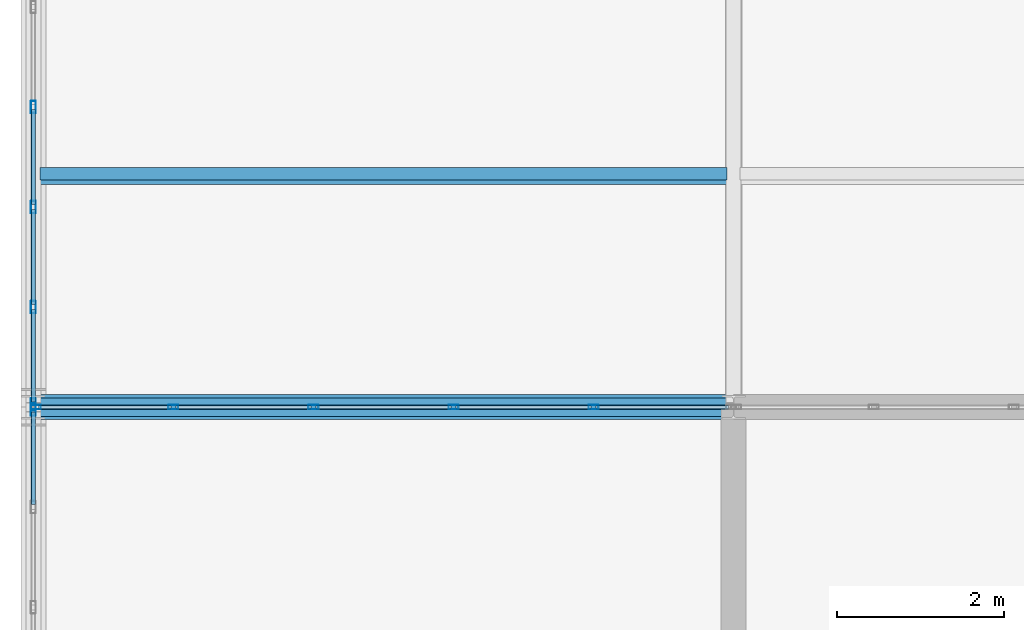
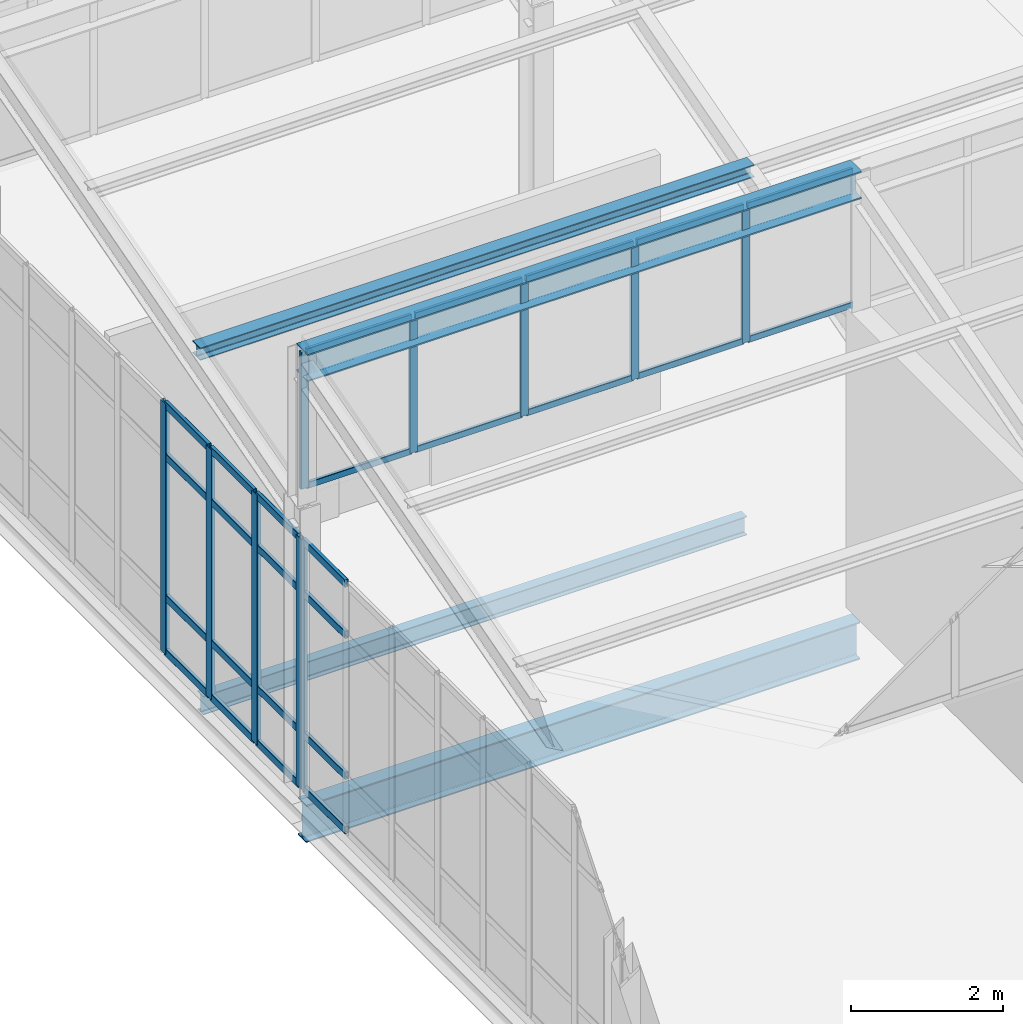
# One storey, part 14 of 53: 37 members, 3 beams, 3 elements without a shape of their own.
"""IFC4 building model written with IfcOpenShell, lengths in metres."""

from ifc_helpers import new_model, si_unit, direction, frame, origin, origin_2d, place, context, subcontext, project, spatial, hollow_rectangle, i_section, extrude, material, layer, layer_set, material_profile, profile_set, type_object, element, aggregate, save


model = new_model("IFC4")

# Units and contexts
model_context = context("Model", 3, precision=1e-05, world=origin(), true_north=direction((0.0, 1.0)))
body_context = subcontext(model_context, "Body", "Model", "MODEL_VIEW")
ifc_project = project(units=[si_unit("LENGTHUNIT", "METRE"), si_unit("AREAUNIT", "SQUARE_METRE"), si_unit("VOLUMEUNIT", "CUBIC_METRE"), si_unit("PLANEANGLEUNIT", "RADIAN"), si_unit("MASSUNIT", "GRAM", prefix="KILO")], contexts=[model_context])

# Site, building, storey
site_placement = place(None, origin())
site = spatial("IfcSite", under=ifc_project, at=site_placement, CompositionType="ELEMENT")
building_placement = place(site_placement, origin())
building = spatial("IfcBuilding", under=site, at=building_placement, Name="Qalvenar Corner Mobility Hub", CompositionType="ELEMENT")
storey_placement = place(building_placement, frame((0.0, 0.0, 26.39990234375)))
storey = spatial("IfcBuildingStorey", under=building, at=storey_placement, Name="L06", CompositionType="ELEMENT", Elevation=26.39990234375)

# Beams
ifc_material_1 = material(Name="Steel S355", Category="steel")
ifc_material_profile_1 = material_profile(ifc_material_1, i_section(OverallWidth=0.300048828125, OverallDepth=0.43994140625, WebThickness=0.011474609375, FlangeThickness=0.02099609375, FilletRadius=0.027099609375, at=origin_2d()), Name="HEA450")
ifc_profile_set_1 = profile_set([ifc_material_profile_1], Name="Steel S355")
beam_type_1 = type_object("IfcBeamType", Name="BM-HEA450", PredefinedType="BEAM", material=ifc_profile_set_1)
beam_1_placement = place(storey_placement, frame((0.0, 16.800048828125, 6.81005859375), z_axis=(1.0, 0.0, 0.0), x_axis=(0.0, 1.0, 0.0)))
element("IfcBeam", 1, at=beam_1_placement, inside=storey, type_object=beam_type_1, Name="Sawtooth Ridge Girder V3RDG-2-1", PredefinedType="BEAM", context=body_context, shape_type="SweptSolid", body=[
    extrude(i_section(OverallWidth=0.300048828125, OverallDepth=0.43994140625, WebThickness=0.011474609375, FlangeThickness=0.02099609375, FilletRadius=0.027099609375, at=origin_2d()), origin(), (0.0, 0.0, 1.0), 8.39990234375),
])
ifc_material_profile_2 = material_profile(ifc_material_1, i_section(OverallWidth=0.219970703125, OverallDepth=0.60009765625, WebThickness=0.011962890625, FlangeThickness=0.01904296875, FilletRadius=0.02392578125, at=origin_2d()), Name="IPE600")
ifc_profile_set_2 = profile_set([ifc_material_profile_2], Name="Steel S355")
beam_type_2 = type_object("IfcBeamType", Name="BM-IPE600", PredefinedType="BEAM", material=ifc_profile_set_2)
beam_2_placement = place(storey_placement, frame((0.0, 16.800048828125, -0.52001953125), z_axis=(1.0, 0.0, 0.0), x_axis=(0.0, 1.0, 0.0)))
element("IfcBeam", 2, at=beam_2_placement, inside=storey, type_object=beam_type_2, Name="Primary Steel Girder GX-3062", PredefinedType="BEAM", context=body_context, shape_type="SweptSolid", body=[
    extrude(i_section(OverallWidth=0.219970703125, OverallDepth=0.60009765625, WebThickness=0.011962890625, FlangeThickness=0.01904296875, FilletRadius=0.02392578125, at=origin_2d()), origin(), (0.0, 0.0, 1.0), 8.39990234375),
])
ifc_material_profile_3 = material_profile(ifc_material_1, i_section(OverallWidth=0.14990234375, OverallDepth=0.300048828125, WebThickness=0.007080078125, FlangeThickness=0.0107421875, FilletRadius=0.014892578125, at=origin_2d()), Name="IPE300")
ifc_profile_set_3 = profile_set([ifc_material_profile_3], Name="Steel S355")
beam_type_3 = type_object("IfcBeamType", Name="BM-JST300", PredefinedType="JOIST", material=ifc_profile_set_3)
beam_3_placement = place(storey_placement, frame((0.077880859375, 19.60009765625, -0.369873046875), z_axis=(1.0, 0.0, 0.0), x_axis=(0.0, 1.0, 0.0)))
element("IfcBeam", 3, at=beam_3_placement, inside=storey, type_object=beam_type_3, Name="Composite Floor Joist J-3106", PredefinedType="JOIST", context=body_context, shape_type="SweptSolid", body=[
    extrude(i_section(OverallWidth=0.14990234375, OverallDepth=0.300048828125, WebThickness=0.007080078125, FlangeThickness=0.0107421875, FilletRadius=0.014892578125, at=origin_2d()), origin(), (0.0, 0.0, 1.0), 8.244140625),
])

# Curtain wall, members
ifc_material_2 = material(Name="Anodised Aluminium and Low-E Glazing", Category="aluminium")
ifc_layer_1 = layer(ifc_material_2, 0.1201171875)
ifc_layer_set_1 = layer_set([ifc_layer_1], Name="Anodised Aluminium and Low-E Glazing")
curtain_wall_type_1 = type_object("IfcCurtainWallType", Name="CW-CLR-84X24", PredefinedType="NOTDEFINED", material=ifc_layer_set_1)
curtain_wall_1_placement = place(storey_placement, origin())
curtain_wall_1 = element("IfcCurtainWall", 4, at=curtain_wall_1_placement, inside=storey, type_object=curtain_wall_type_1, Name="Glazed Curtain Wall CW-V3-SAW-2-0", PredefinedType="NOTDEFINED")
ifc_material_3 = material(Name="Anodised Aluminium 6063-T6", Category="aluminium")
ifc_material_profile_4 = material_profile(ifc_material_3, hollow_rectangle(XDim=0.054931640625, YDim=0.1201171875, WallThickness=0.00341796875, InnerFilletRadius=0.00341796875, OuterFilletRadius=0.007080078125, at=origin_2d()), Name="RHS120x55x3.5")
ifc_profile_set_4 = profile_set([ifc_material_profile_4], Name="Anodised Aluminium 6063-T6")
member_type_1 = type_object("IfcMemberType", Name="CW-MUL120", PredefinedType="MULLION", material=ifc_profile_set_4)
member_1_placement = place(storey_placement, frame((6.719970703125, 16.800048828125, 4.800048828125), z_axis=(0.0, 0.0, 1.0), x_axis=(0.0, -1.0, 0.0)))
member_1 = element("IfcMember", 5, at=member_1_placement, type_object=member_type_1, Name="CW-12 mullion 2", PredefinedType="MULLION", context=body_context, shape_type="SweptSolid", body=[
    extrude(hollow_rectangle(XDim=0.054931640625, YDim=0.1201171875, WallThickness=0.00341796875, InnerFilletRadius=0.00341796875, OuterFilletRadius=0.007080078125, at=origin_2d()), origin(), (0.0, 0.0, 1.0), 2.199951171875),
])
member_2_placement = place(storey_placement, frame((5.0400390625, 16.800048828125, 4.800048828125), z_axis=(0.0, 0.0, 1.0), x_axis=(0.0, -1.0, 0.0)))
member_2 = element("IfcMember", 6, at=member_2_placement, type_object=member_type_1, Name="CW-12 mullion 3", PredefinedType="MULLION", context=body_context, shape_type="SweptSolid", body=[
    extrude(hollow_rectangle(XDim=0.054931640625, YDim=0.1201171875, WallThickness=0.00341796875, InnerFilletRadius=0.00341796875, OuterFilletRadius=0.007080078125, at=origin_2d()), origin(), (0.0, 0.0, 1.0), 2.199951171875),
])
member_3_placement = place(storey_placement, frame((3.360107421875, 16.800048828125, 4.800048828125), z_axis=(0.0, 0.0, 1.0), x_axis=(0.0, -1.0, 0.0)))
member_3 = element("IfcMember", 7, at=member_3_placement, type_object=member_type_1, Name="CW-12 mullion 4", PredefinedType="MULLION", context=body_context, shape_type="SweptSolid", body=[
    extrude(hollow_rectangle(XDim=0.054931640625, YDim=0.1201171875, WallThickness=0.00341796875, InnerFilletRadius=0.00341796875, OuterFilletRadius=0.007080078125, at=origin_2d()), origin(), (0.0, 0.0, 1.0), 2.199951171875),
])
member_4_placement = place(storey_placement, frame((1.679931640625, 16.800048828125, 4.800048828125), z_axis=(0.0, 0.0, 1.0), x_axis=(0.0, -1.0, 0.0)))
member_4 = element("IfcMember", 8, at=member_4_placement, type_object=member_type_1, Name="CW-12 mullion 5", PredefinedType="MULLION", context=body_context, shape_type="SweptSolid", body=[
    extrude(hollow_rectangle(XDim=0.054931640625, YDim=0.1201171875, WallThickness=0.00341796875, InnerFilletRadius=0.00341796875, OuterFilletRadius=0.007080078125, at=origin_2d()), origin(), (0.0, 0.0, 1.0), 2.199951171875),
])
member_5_placement = place(storey_placement, frame((0.030029296875, 16.800048828125, 4.800048828125), z_axis=(0.0, 0.0, 1.0), x_axis=(0.0, -1.0, 0.0)))
member_5 = element("IfcMember", 9, at=member_5_placement, type_object=member_type_1, Name="CW-12 mullion 6", PredefinedType="MULLION", context=body_context, shape_type="SweptSolid", body=[
    extrude(hollow_rectangle(XDim=0.054931640625, YDim=0.1201171875, WallThickness=0.00341796875, InnerFilletRadius=0.00341796875, OuterFilletRadius=0.007080078125, at=origin_2d()), origin(), (0.0, 0.0, 1.0), 2.199951171875),
])

# Curtain wall, member
ifc_layer_2 = layer(ifc_material_2, 0.14990234375)
ifc_layer_set_2 = layer_set([ifc_layer_2], Name="Anodised Aluminium and Low-E Glazing")
curtain_wall_type_2 = type_object("IfcCurtainWallType", Name="CW-CIV-84X40", PredefinedType="NOTDEFINED", material=ifc_layer_set_2)
curtain_wall_2_placement = place(storey_placement, origin())
curtain_wall_2 = element("IfcCurtainWall", 10, at=curtain_wall_2_placement, inside=storey, type_object=curtain_wall_type_2, Name="Glazed Curtain Wall CW-V3-L06-W1", PredefinedType="NOTDEFINED")
ifc_material_profile_5 = material_profile(ifc_material_3, hollow_rectangle(XDim=0.06005859375, YDim=0.14990234375, WallThickness=0.00390625, InnerFilletRadius=0.00390625, OuterFilletRadius=0.008056640625, at=origin_2d()), Name="RHS150x60x4")
ifc_profile_set_5 = profile_set([ifc_material_profile_5], Name="Anodised Aluminium 6063-T6")
member_type_2 = type_object("IfcMemberType", Name="CW-MUL150", PredefinedType="MULLION", material=ifc_profile_set_5)
member_6_placement = place(storey_placement, frame((0.0, 16.77001953125, 0.0), z_axis=(0.0, 0.0, 1.0), x_axis=(1.0, 0.0, 0.0)))
member_6 = element("IfcMember", 11, at=member_6_placement, type_object=member_type_2, Name="CW-05 mullion 1", PredefinedType="MULLION", context=body_context, shape_type="SweptSolid", body=[
    extrude(hollow_rectangle(XDim=0.06005859375, YDim=0.14990234375, WallThickness=0.00390625, InnerFilletRadius=0.00390625, OuterFilletRadius=0.008056640625, at=origin_2d()), origin(), (0.0, 0.0, 1.0), 4.010009765625),
])

# Curtain wall, members
curtain_wall_3_placement = place(storey_placement, origin())
curtain_wall_3 = element("IfcCurtainWall", 12, at=curtain_wall_3_placement, inside=storey, type_object=curtain_wall_type_2, Name="Glazed Curtain Wall CW-V3-L06-W2", PredefinedType="NOTDEFINED")
member_7_placement = place(storey_placement, frame((0.0, 20.39990234375, 0.0), z_axis=(0.0, 0.0, 1.0), x_axis=(1.0, 0.0, 0.0)))
member_7 = element("IfcMember", 13, at=member_7_placement, type_object=member_type_2, Name="CW-05 mullion 5", PredefinedType="MULLION", context=body_context, shape_type="SweptSolid", body=[
    extrude(hollow_rectangle(XDim=0.06005859375, YDim=0.14990234375, WallThickness=0.00390625, InnerFilletRadius=0.00390625, OuterFilletRadius=0.008056640625, at=origin_2d()), origin(), (0.0, 0.0, 1.0), 4.010009765625),
])
member_8_placement = place(storey_placement, frame((0.0, 19.199951171875, 0.0), z_axis=(0.0, 0.0, 1.0), x_axis=(1.0, 0.0, 0.0)))
member_8 = element("IfcMember", 14, at=member_8_placement, type_object=member_type_2, Name="CW-05 mullion 6", PredefinedType="MULLION", context=body_context, shape_type="SweptSolid", body=[
    extrude(hollow_rectangle(XDim=0.06005859375, YDim=0.14990234375, WallThickness=0.00390625, InnerFilletRadius=0.00390625, OuterFilletRadius=0.008056640625, at=origin_2d()), origin(), (0.0, 0.0, 1.0), 4.010009765625),
])
member_9_placement = place(storey_placement, frame((0.0, 18.0, 0.0), z_axis=(0.0, 0.0, 1.0), x_axis=(1.0, 0.0, 0.0)))
member_9 = element("IfcMember", 15, at=member_9_placement, type_object=member_type_2, Name="CW-05 mullion 7", PredefinedType="MULLION", context=body_context, shape_type="SweptSolid", body=[
    extrude(hollow_rectangle(XDim=0.06005859375, YDim=0.14990234375, WallThickness=0.00390625, InnerFilletRadius=0.00390625, OuterFilletRadius=0.008056640625, at=origin_2d()), origin(), (0.0, 0.0, 1.0), 4.010009765625),
])
member_10_placement = place(storey_placement, frame((0.0, 16.830078125, 0.0), z_axis=(0.0, 0.0, 1.0), x_axis=(1.0, 0.0, 0.0)))
member_10 = element("IfcMember", 16, at=member_10_placement, type_object=member_type_2, Name="CW-05 mullion 8", PredefinedType="MULLION", context=body_context, shape_type="SweptSolid", body=[
    extrude(hollow_rectangle(XDim=0.06005859375, YDim=0.14990234375, WallThickness=0.00390625, InnerFilletRadius=0.00390625, OuterFilletRadius=0.008056640625, at=origin_2d()), origin(), (0.0, 0.0, 1.0), 4.010009765625),
])

# Member
ifc_material_profile_6 = material_profile(ifc_material_3, hollow_rectangle(XDim=0.050048828125, YDim=0.10009765625, WallThickness=0.0029296875, InnerFilletRadius=0.0029296875, OuterFilletRadius=0.006103515625, at=origin_2d()), Name="RHS100x50x3")
ifc_profile_set_6 = profile_set([ifc_material_profile_6], Name="Anodised Aluminium 6063-T6")
member_type_3 = type_object("IfcMemberType", Name="CW-TRN100", PredefinedType="USERDEFINED", material=ifc_profile_set_6)
member_11_placement = place(storey_placement, frame((8.340087890625, 16.800048828125, 4.82763671875), z_axis=(-1.0, 0.0, 0.0), x_axis=(0.0, -1.0, 0.0)))
member_11 = element("IfcMember", 17, at=member_11_placement, type_object=member_type_3, Name="CW-12 transom 1.1", ObjectType="TRANSOM", PredefinedType="USERDEFINED", context=body_context, shape_type="SweptSolid", body=[
    extrude(hollow_rectangle(XDim=0.050048828125, YDim=0.10009765625, WallThickness=0.0029296875, InnerFilletRadius=0.0029296875, OuterFilletRadius=0.006103515625, at=origin_2d()), origin(), (0.0, 0.0, 1.0), 1.590087890625),
])

member_12_placement = place(storey_placement, frame((8.340087890625, 16.800048828125, 6.97265625), z_axis=(-1.0, 0.0, 0.0), x_axis=(0.0, -1.0, 0.0)))
member_12 = element("IfcMember", 18, at=member_12_placement, type_object=member_type_3, Name="CW-12 transom 1.2", ObjectType="TRANSOM", PredefinedType="USERDEFINED", context=body_context, shape_type="SweptSolid", body=[
    extrude(hollow_rectangle(XDim=0.050048828125, YDim=0.10009765625, WallThickness=0.0029296875, InnerFilletRadius=0.0029296875, OuterFilletRadius=0.006103515625, at=origin_2d()), origin(), (0.0, 0.0, 1.0), 1.590087890625),
])

member_13_placement = place(storey_placement, frame((6.68994140625, 16.800048828125, 4.82763671875), z_axis=(-1.0, 0.0, 0.0), x_axis=(0.0, -1.0, 0.0)))
member_13 = element("IfcMember", 19, at=member_13_placement, type_object=member_type_3, Name="CW-12 transom 2.1", ObjectType="TRANSOM", PredefinedType="USERDEFINED", context=body_context, shape_type="SweptSolid", body=[
    extrude(hollow_rectangle(XDim=0.050048828125, YDim=0.10009765625, WallThickness=0.0029296875, InnerFilletRadius=0.0029296875, OuterFilletRadius=0.006103515625, at=origin_2d()), origin(), (0.0, 0.0, 1.0), 1.619873046875),
])

member_14_placement = place(storey_placement, frame((6.68994140625, 16.800048828125, 6.97265625), z_axis=(-1.0, 0.0, 0.0), x_axis=(0.0, -1.0, 0.0)))
member_14 = element("IfcMember", 20, at=member_14_placement, type_object=member_type_3, Name="CW-12 transom 2.2", ObjectType="TRANSOM", PredefinedType="USERDEFINED", context=body_context, shape_type="SweptSolid", body=[
    extrude(hollow_rectangle(XDim=0.050048828125, YDim=0.10009765625, WallThickness=0.0029296875, InnerFilletRadius=0.0029296875, OuterFilletRadius=0.006103515625, at=origin_2d()), origin(), (0.0, 0.0, 1.0), 1.619873046875),
])

member_15_placement = place(storey_placement, frame((5.010009765625, 16.800048828125, 4.82763671875), z_axis=(-1.0, 0.0, 0.0), x_axis=(0.0, -1.0, 0.0)))
member_15 = element("IfcMember", 21, at=member_15_placement, type_object=member_type_3, Name="CW-12 transom 3.1", ObjectType="TRANSOM", PredefinedType="USERDEFINED", context=body_context, shape_type="SweptSolid", body=[
    extrude(hollow_rectangle(XDim=0.050048828125, YDim=0.10009765625, WallThickness=0.0029296875, InnerFilletRadius=0.0029296875, OuterFilletRadius=0.006103515625, at=origin_2d()), origin(), (0.0, 0.0, 1.0), 1.6201171875),
])

member_16_placement = place(storey_placement, frame((5.010009765625, 16.800048828125, 6.97265625), z_axis=(-1.0, 0.0, 0.0), x_axis=(0.0, -1.0, 0.0)))
member_16 = element("IfcMember", 22, at=member_16_placement, type_object=member_type_3, Name="CW-12 transom 3.2", ObjectType="TRANSOM", PredefinedType="USERDEFINED", context=body_context, shape_type="SweptSolid", body=[
    extrude(hollow_rectangle(XDim=0.050048828125, YDim=0.10009765625, WallThickness=0.0029296875, InnerFilletRadius=0.0029296875, OuterFilletRadius=0.006103515625, at=origin_2d()), origin(), (0.0, 0.0, 1.0), 1.6201171875),
])

member_17_placement = place(storey_placement, frame((3.330078125, 16.800048828125, 4.82763671875), z_axis=(-1.0, 0.0, 0.0), x_axis=(0.0, -1.0, 0.0)))
member_17 = element("IfcMember", 23, at=member_17_placement, type_object=member_type_3, Name="CW-12 transom 4.1", ObjectType="TRANSOM", PredefinedType="USERDEFINED", context=body_context, shape_type="SweptSolid", body=[
    extrude(hollow_rectangle(XDim=0.050048828125, YDim=0.10009765625, WallThickness=0.0029296875, InnerFilletRadius=0.0029296875, OuterFilletRadius=0.006103515625, at=origin_2d()), origin(), (0.0, 0.0, 1.0), 1.6201171875),
])

member_18_placement = place(storey_placement, frame((3.330078125, 16.800048828125, 6.97265625), z_axis=(-1.0, 0.0, 0.0), x_axis=(0.0, -1.0, 0.0)))
member_18 = element("IfcMember", 24, at=member_18_placement, type_object=member_type_3, Name="CW-12 transom 4.2", ObjectType="TRANSOM", PredefinedType="USERDEFINED", context=body_context, shape_type="SweptSolid", body=[
    extrude(hollow_rectangle(XDim=0.050048828125, YDim=0.10009765625, WallThickness=0.0029296875, InnerFilletRadius=0.0029296875, OuterFilletRadius=0.006103515625, at=origin_2d()), origin(), (0.0, 0.0, 1.0), 1.6201171875),
])

member_19_placement = place(storey_placement, frame((1.64990234375, 16.800048828125, 4.82763671875), z_axis=(-1.0, 0.0, 0.0), x_axis=(0.0, -1.0, 0.0)))
member_19 = element("IfcMember", 25, at=member_19_placement, type_object=member_type_3, Name="CW-12 transom 5.1", ObjectType="TRANSOM", PredefinedType="USERDEFINED", context=body_context, shape_type="SweptSolid", body=[
    extrude(hollow_rectangle(XDim=0.050048828125, YDim=0.10009765625, WallThickness=0.0029296875, InnerFilletRadius=0.0029296875, OuterFilletRadius=0.006103515625, at=origin_2d()), origin(), (0.0, 0.0, 1.0), 1.58984375),
])

member_20_placement = place(storey_placement, frame((1.64990234375, 16.800048828125, 6.97265625), z_axis=(-1.0, 0.0, 0.0), x_axis=(0.0, -1.0, 0.0)))
member_20 = element("IfcMember", 26, at=member_20_placement, type_object=member_type_3, Name="CW-12 transom 5.2", ObjectType="TRANSOM", PredefinedType="USERDEFINED", context=body_context, shape_type="SweptSolid", body=[
    extrude(hollow_rectangle(XDim=0.050048828125, YDim=0.10009765625, WallThickness=0.0029296875, InnerFilletRadius=0.0029296875, OuterFilletRadius=0.006103515625, at=origin_2d()), origin(), (0.0, 0.0, 1.0), 1.58984375),
])

aggregate(curtain_wall_1, [member_1, member_2, member_3, member_4, member_5, member_11, member_12, member_13, member_14, member_15, member_16, member_17, member_18, member_19, member_20])

ifc_material_profile_7 = material_profile(ifc_material_3, hollow_rectangle(XDim=0.054931640625, YDim=0.1201171875, WallThickness=0.00341796875, InnerFilletRadius=0.00341796875, OuterFilletRadius=0.007080078125, at=origin_2d()), Name="RHS120x55x3.5")
ifc_profile_set_7 = profile_set([ifc_material_profile_7], Name="Anodised Aluminium 6063-T6")
member_type_4 = type_object("IfcMemberType", Name="CW-TRN120", PredefinedType="USERDEFINED", material=ifc_profile_set_7)
member_21_placement = place(storey_placement, frame((0.0, 16.739990234375, 0.027587890625), z_axis=(0.0, -1.0, 0.0), x_axis=(1.0, 0.0, 0.0)))
member_21 = element("IfcMember", 27, at=member_21_placement, type_object=member_type_4, Name="CW-05 transom 1.1", ObjectType="TRANSOM", PredefinedType="USERDEFINED", context=body_context, shape_type="SweptSolid", body=[
    extrude(hollow_rectangle(XDim=0.054931640625, YDim=0.1201171875, WallThickness=0.00341796875, InnerFilletRadius=0.00341796875, OuterFilletRadius=0.007080078125, at=origin_2d()), origin(), (0.0, 0.0, 1.0), 1.110107421875),
])

member_22_placement = place(storey_placement, frame((0.0, 16.739990234375, 0.900146484375), z_axis=(0.0, -1.0, 0.0), x_axis=(1.0, 0.0, 0.0)))
member_22 = element("IfcMember", 28, at=member_22_placement, type_object=member_type_4, Name="CW-05 transom 1.2", ObjectType="TRANSOM", PredefinedType="USERDEFINED", context=body_context, shape_type="SweptSolid", body=[
    extrude(hollow_rectangle(XDim=0.054931640625, YDim=0.1201171875, WallThickness=0.00341796875, InnerFilletRadius=0.00341796875, OuterFilletRadius=0.007080078125, at=origin_2d()), origin(), (0.0, 0.0, 1.0), 1.110107421875),
])

member_23_placement = place(storey_placement, frame((0.0, 16.739990234375, 3.16015625), z_axis=(0.0, -1.0, 0.0), x_axis=(1.0, 0.0, 0.0)))
member_23 = element("IfcMember", 29, at=member_23_placement, type_object=member_type_4, Name="CW-05 transom 1.3", ObjectType="TRANSOM", PredefinedType="USERDEFINED", context=body_context, shape_type="SweptSolid", body=[
    extrude(hollow_rectangle(XDim=0.054931640625, YDim=0.1201171875, WallThickness=0.00341796875, InnerFilletRadius=0.00341796875, OuterFilletRadius=0.007080078125, at=origin_2d()), origin(), (0.0, 0.0, 1.0), 1.110107421875),
])

member_24_placement = place(storey_placement, frame((0.0, 16.739990234375, 3.982666015625), z_axis=(0.0, -1.0, 0.0), x_axis=(1.0, 0.0, 0.0)))
member_24 = element("IfcMember", 30, at=member_24_placement, type_object=member_type_4, Name="CW-05 transom 1.4", ObjectType="TRANSOM", PredefinedType="USERDEFINED", context=body_context, shape_type="SweptSolid", body=[
    extrude(hollow_rectangle(XDim=0.054931640625, YDim=0.1201171875, WallThickness=0.00341796875, InnerFilletRadius=0.00341796875, OuterFilletRadius=0.007080078125, at=origin_2d()), origin(), (0.0, 0.0, 1.0), 1.110107421875),
])

aggregate(curtain_wall_2, [member_6, member_21, member_22, member_23, member_24])

member_25_placement = place(storey_placement, frame((0.0, 20.3701171875, 0.027587890625), z_axis=(0.0, -1.0, 0.0), x_axis=(1.0, 0.0, 0.0)))
member_25 = element("IfcMember", 31, at=member_25_placement, type_object=member_type_4, Name="CW-05 transom 5.1", ObjectType="TRANSOM", PredefinedType="USERDEFINED", context=body_context, shape_type="SweptSolid", body=[
    extrude(hollow_rectangle(XDim=0.054931640625, YDim=0.1201171875, WallThickness=0.00341796875, InnerFilletRadius=0.00341796875, OuterFilletRadius=0.007080078125, at=origin_2d()), origin(), (0.0, 0.0, 1.0), 1.14013671875),
])

member_26_placement = place(storey_placement, frame((0.0, 20.3701171875, 0.900146484375), z_axis=(0.0, -1.0, 0.0), x_axis=(1.0, 0.0, 0.0)))
member_26 = element("IfcMember", 32, at=member_26_placement, type_object=member_type_4, Name="CW-05 transom 5.2", ObjectType="TRANSOM", PredefinedType="USERDEFINED", context=body_context, shape_type="SweptSolid", body=[
    extrude(hollow_rectangle(XDim=0.054931640625, YDim=0.1201171875, WallThickness=0.00341796875, InnerFilletRadius=0.00341796875, OuterFilletRadius=0.007080078125, at=origin_2d()), origin(), (0.0, 0.0, 1.0), 1.14013671875),
])

member_27_placement = place(storey_placement, frame((0.0, 20.3701171875, 3.16015625), z_axis=(0.0, -1.0, 0.0), x_axis=(1.0, 0.0, 0.0)))
member_27 = element("IfcMember", 33, at=member_27_placement, type_object=member_type_4, Name="CW-05 transom 5.3", ObjectType="TRANSOM", PredefinedType="USERDEFINED", context=body_context, shape_type="SweptSolid", body=[
    extrude(hollow_rectangle(XDim=0.054931640625, YDim=0.1201171875, WallThickness=0.00341796875, InnerFilletRadius=0.00341796875, OuterFilletRadius=0.007080078125, at=origin_2d()), origin(), (0.0, 0.0, 1.0), 1.14013671875),
])

member_28_placement = place(storey_placement, frame((0.0, 20.3701171875, 3.982666015625), z_axis=(0.0, -1.0, 0.0), x_axis=(1.0, 0.0, 0.0)))
member_28 = element("IfcMember", 34, at=member_28_placement, type_object=member_type_4, Name="CW-05 transom 5.4", ObjectType="TRANSOM", PredefinedType="USERDEFINED", context=body_context, shape_type="SweptSolid", body=[
    extrude(hollow_rectangle(XDim=0.054931640625, YDim=0.1201171875, WallThickness=0.00341796875, InnerFilletRadius=0.00341796875, OuterFilletRadius=0.007080078125, at=origin_2d()), origin(), (0.0, 0.0, 1.0), 1.14013671875),
])

member_29_placement = place(storey_placement, frame((0.0, 19.169921875, 0.027587890625), z_axis=(0.0, -1.0, 0.0), x_axis=(1.0, 0.0, 0.0)))
member_29 = element("IfcMember", 35, at=member_29_placement, type_object=member_type_4, Name="CW-05 transom 6.1", ObjectType="TRANSOM", PredefinedType="USERDEFINED", context=body_context, shape_type="SweptSolid", body=[
    extrude(hollow_rectangle(XDim=0.054931640625, YDim=0.1201171875, WallThickness=0.00341796875, InnerFilletRadius=0.00341796875, OuterFilletRadius=0.007080078125, at=origin_2d()), origin(), (0.0, 0.0, 1.0), 1.139892578125),
])

member_30_placement = place(storey_placement, frame((0.0, 19.169921875, 0.900146484375), z_axis=(0.0, -1.0, 0.0), x_axis=(1.0, 0.0, 0.0)))
member_30 = element("IfcMember", 36, at=member_30_placement, type_object=member_type_4, Name="CW-05 transom 6.2", ObjectType="TRANSOM", PredefinedType="USERDEFINED", context=body_context, shape_type="SweptSolid", body=[
    extrude(hollow_rectangle(XDim=0.054931640625, YDim=0.1201171875, WallThickness=0.00341796875, InnerFilletRadius=0.00341796875, OuterFilletRadius=0.007080078125, at=origin_2d()), origin(), (0.0, 0.0, 1.0), 1.139892578125),
])

member_31_placement = place(storey_placement, frame((0.0, 19.169921875, 3.16015625), z_axis=(0.0, -1.0, 0.0), x_axis=(1.0, 0.0, 0.0)))
member_31 = element("IfcMember", 37, at=member_31_placement, type_object=member_type_4, Name="CW-05 transom 6.3", ObjectType="TRANSOM", PredefinedType="USERDEFINED", context=body_context, shape_type="SweptSolid", body=[
    extrude(hollow_rectangle(XDim=0.054931640625, YDim=0.1201171875, WallThickness=0.00341796875, InnerFilletRadius=0.00341796875, OuterFilletRadius=0.007080078125, at=origin_2d()), origin(), (0.0, 0.0, 1.0), 1.139892578125),
])

member_32_placement = place(storey_placement, frame((0.0, 19.169921875, 3.982666015625), z_axis=(0.0, -1.0, 0.0), x_axis=(1.0, 0.0, 0.0)))
member_32 = element("IfcMember", 38, at=member_32_placement, type_object=member_type_4, Name="CW-05 transom 6.4", ObjectType="TRANSOM", PredefinedType="USERDEFINED", context=body_context, shape_type="SweptSolid", body=[
    extrude(hollow_rectangle(XDim=0.054931640625, YDim=0.1201171875, WallThickness=0.00341796875, InnerFilletRadius=0.00341796875, OuterFilletRadius=0.007080078125, at=origin_2d()), origin(), (0.0, 0.0, 1.0), 1.139892578125),
])

member_33_placement = place(storey_placement, frame((0.0, 17.969970703125, 0.027587890625), z_axis=(0.0, -1.0, 0.0), x_axis=(1.0, 0.0, 0.0)))
member_33 = element("IfcMember", 39, at=member_33_placement, type_object=member_type_4, Name="CW-05 transom 7.1", ObjectType="TRANSOM", PredefinedType="USERDEFINED", context=body_context, shape_type="SweptSolid", body=[
    extrude(hollow_rectangle(XDim=0.054931640625, YDim=0.1201171875, WallThickness=0.00341796875, InnerFilletRadius=0.00341796875, OuterFilletRadius=0.007080078125, at=origin_2d()), origin(), (0.0, 0.0, 1.0), 1.10986328125),
])

member_34_placement = place(storey_placement, frame((0.0, 17.969970703125, 0.900146484375), z_axis=(0.0, -1.0, 0.0), x_axis=(1.0, 0.0, 0.0)))
member_34 = element("IfcMember", 40, at=member_34_placement, type_object=member_type_4, Name="CW-05 transom 7.2", ObjectType="TRANSOM", PredefinedType="USERDEFINED", context=body_context, shape_type="SweptSolid", body=[
    extrude(hollow_rectangle(XDim=0.054931640625, YDim=0.1201171875, WallThickness=0.00341796875, InnerFilletRadius=0.00341796875, OuterFilletRadius=0.007080078125, at=origin_2d()), origin(), (0.0, 0.0, 1.0), 1.10986328125),
])

member_35_placement = place(storey_placement, frame((0.0, 17.969970703125, 3.16015625), z_axis=(0.0, -1.0, 0.0), x_axis=(1.0, 0.0, 0.0)))
member_35 = element("IfcMember", 41, at=member_35_placement, type_object=member_type_4, Name="CW-05 transom 7.3", ObjectType="TRANSOM", PredefinedType="USERDEFINED", context=body_context, shape_type="SweptSolid", body=[
    extrude(hollow_rectangle(XDim=0.054931640625, YDim=0.1201171875, WallThickness=0.00341796875, InnerFilletRadius=0.00341796875, OuterFilletRadius=0.007080078125, at=origin_2d()), origin(), (0.0, 0.0, 1.0), 1.10986328125),
])

member_36_placement = place(storey_placement, frame((0.0, 17.969970703125, 3.982666015625), z_axis=(0.0, -1.0, 0.0), x_axis=(1.0, 0.0, 0.0)))
member_36 = element("IfcMember", 42, at=member_36_placement, type_object=member_type_4, Name="CW-05 transom 7.4", ObjectType="TRANSOM", PredefinedType="USERDEFINED", context=body_context, shape_type="SweptSolid", body=[
    extrude(hollow_rectangle(XDim=0.054931640625, YDim=0.1201171875, WallThickness=0.00341796875, InnerFilletRadius=0.00341796875, OuterFilletRadius=0.007080078125, at=origin_2d()), origin(), (0.0, 0.0, 1.0), 1.10986328125),
])

aggregate(curtain_wall_3, [member_7, member_8, member_9, member_10, member_25, member_26, member_27, member_28, member_29, member_30, member_31, member_32, member_33, member_34, member_35, member_36])

ifc_material_profile_8 = material_profile(ifc_material_1, i_section(OverallWidth=0.199951171875, OverallDepth=0.199951171875, WebThickness=0.009033203125, FlangeThickness=0.014892578125, FilletRadius=0.01806640625, at=origin_2d()), Name="HEB200")
ifc_profile_set_8 = profile_set([ifc_material_profile_8], Name="Steel S355")
member_type_5 = type_object("IfcMemberType", Name="PR-RHS200", PredefinedType="PURLIN", material=ifc_profile_set_8)
member_37_placement = place(storey_placement, frame((0.0, 19.572021484375, 5.322021484375), z_axis=(1.0, 0.0, 0.0), x_axis=(0.0, 1.0, 0.0)))
element("IfcMember", 43, at=member_37_placement, inside=storey, type_object=member_type_5, Name="Sawtooth Roof Purlin PR-V3-3-1-33", PredefinedType="PURLIN", context=body_context, shape_type="SweptSolid", body=[
    extrude(i_section(OverallWidth=0.199951171875, OverallDepth=0.199951171875, WebThickness=0.009033203125, FlangeThickness=0.014892578125, FilletRadius=0.01806640625, at=origin_2d()), origin(), (0.0, 0.0, 1.0), 8.39990234375),
])

save(model, "model.ifc")
